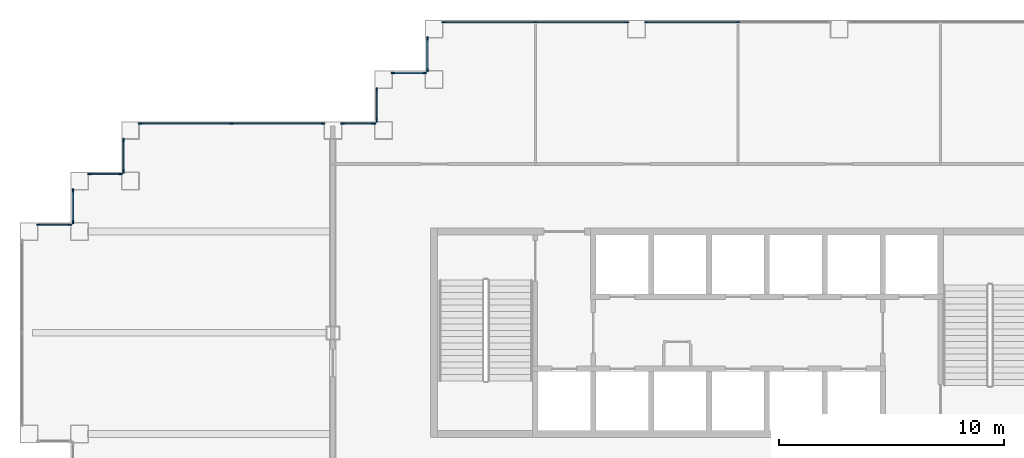
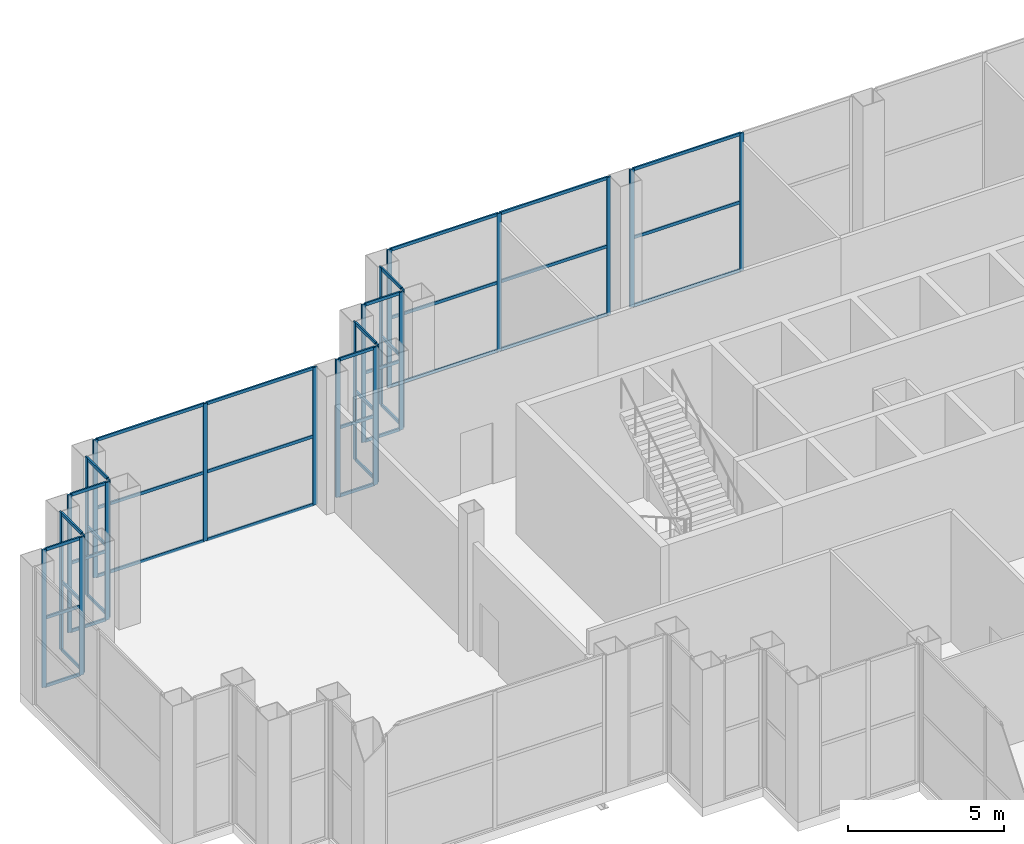
# One storey, part 7 of 18: 63 members, 11 elements without a shape of their own.
"""IFC4 building model written with IfcOpenShell, lengths in metres."""

from ifc_helpers import new_model, si_unit, direction, frame, origin, origin_2d, place, context, subcontext, project, spatial, rectangle, extrude, material, layer, layer_set, material_profile, profile_set, type_object, element, aggregate, save


model = new_model("IFC4")

# Units and contexts
model_context = context("Model", 3, precision=1e-05, world=origin(), true_north=direction((0.0, 1.0)))
body_context = subcontext(model_context, "Body", "Model", "MODEL_VIEW")
ifc_project = project(units=[si_unit("LENGTHUNIT", "METRE"), si_unit("AREAUNIT", "SQUARE_METRE"), si_unit("VOLUMEUNIT", "CUBIC_METRE"), si_unit("PLANEANGLEUNIT", "RADIAN"), si_unit("MASSUNIT", "GRAM", prefix="KILO")], contexts=[model_context])

# Site, building, storey
site_placement = place(None, origin())
site = spatial("IfcSite", under=ifc_project, at=site_placement, CompositionType="ELEMENT")
building_placement = place(site_placement, origin())
building = spatial("IfcBuilding", under=site, at=building_placement, Name="Caravel Reach Hotel and Residences", CompositionType="ELEMENT")
storey_placement = place(building_placement, frame((0.0, 0.0, 145.199951171875)))
storey = spatial("IfcBuildingStorey", under=building, at=storey_placement, Name="L36", CompositionType="ELEMENT", Elevation=145.199951171875)

# Curtain wall, members
ifc_material_1 = material(Name="Dark low-e glazing in black aluminium frame", Category="aluminium")
ifc_layer = layer(ifc_material_1, 0.199951171875)
ifc_layer_set = layer_set([ifc_layer], Name="CW2 Sky lobby glazing")
curtain_wall_type = type_object("IfcCurtainWallType", Name="CW2 Sky lobby glazing", PredefinedType="NOTDEFINED", material=ifc_layer_set)
curtain_wall_1_placement = place(storey_placement, origin())
curtain_wall_1 = element("IfcCurtainWall", 1, at=curtain_wall_1_placement, inside=storey, type_object=curtain_wall_type, Name="Sky lobby glazing b1", PredefinedType="NOTDEFINED")
ifc_material_2 = material(Name="Anodised aluminium alloy 6063-T5, black", Category="aluminium")
ifc_material_profile_1 = material_profile(ifc_material_2, rectangle(XDim=0.06005859375, YDim=0.159912109375, at=origin_2d()), Name="CW mullion 60 x 160")
ifc_profile_set_1 = profile_set([ifc_material_profile_1], Name="Anodised aluminium alloy 6063-T5, black")
member_type_1 = type_object("IfcMemberType", Name="CW mullion 60 x 160", PredefinedType="MULLION", material=ifc_profile_set_1)
member_1_placement = place(storey_placement, frame((31.5, 40.800048828125, 0.0), z_axis=(0.0, 0.0, 1.0), x_axis=(0.0, -1.0, 0.0)))
member_1 = element("IfcMember", 2, at=member_1_placement, type_object=member_type_1, Name="CW2 mullion 2", PredefinedType="MULLION", context=body_context, shape_type="SweptSolid", body=[
    extrude(rectangle(XDim=0.06005859375, YDim=0.159912109375, at=origin_2d()), origin(), (0.0, 0.0, 1.0), 5.400146484375),
])
member_2_placement = place(storey_placement, frame((27.429931640625, 40.800048828125, 0.0), z_axis=(0.0, 0.0, 1.0), x_axis=(0.0, -1.0, 0.0)))
member_2 = element("IfcMember", 3, at=member_2_placement, type_object=member_type_1, Name="CW2 mullion 3", PredefinedType="MULLION", context=body_context, shape_type="SweptSolid", body=[
    extrude(rectangle(XDim=0.06005859375, YDim=0.159912109375, at=origin_2d()), origin(), (0.0, 0.0, 1.0), 5.400146484375),
])

curtain_wall_2_placement = place(storey_placement, origin())
curtain_wall_2 = element("IfcCurtainWall", 4, at=curtain_wall_2_placement, inside=storey, type_object=curtain_wall_type, Name="Sky lobby glazing b2", PredefinedType="NOTDEFINED")
member_3_placement = place(storey_placement, frame((26.570068359375, 40.800048828125, 0.0), z_axis=(0.0, 0.0, 1.0), x_axis=(0.0, -1.0, 0.0)))
member_3 = element("IfcMember", 5, at=member_3_placement, type_object=member_type_1, Name="CW2 mullion 1", PredefinedType="MULLION", context=body_context, shape_type="SweptSolid", body=[
    extrude(rectangle(XDim=0.06005859375, YDim=0.159912109375, at=origin_2d()), origin(), (0.0, 0.0, 1.0), 5.400146484375),
])
member_4_placement = place(storey_placement, frame((22.5, 40.800048828125, 0.0), z_axis=(0.0, 0.0, 1.0), x_axis=(0.0, -1.0, 0.0)))
member_4 = element("IfcMember", 6, at=member_4_placement, type_object=member_type_1, Name="CW2 mullion 2", PredefinedType="MULLION", context=body_context, shape_type="SweptSolid", body=[
    extrude(rectangle(XDim=0.06005859375, YDim=0.159912109375, at=origin_2d()), origin(), (0.0, 0.0, 1.0), 5.400146484375),
])
member_5_placement = place(storey_placement, frame((18.429931640625, 40.800048828125, 0.0), z_axis=(0.0, 0.0, 1.0), x_axis=(0.0, -1.0, 0.0)))
member_5 = element("IfcMember", 7, at=member_5_placement, type_object=member_type_1, Name="CW2 mullion 3", PredefinedType="MULLION", context=body_context, shape_type="SweptSolid", body=[
    extrude(rectangle(XDim=0.06005859375, YDim=0.159912109375, at=origin_2d()), origin(), (0.0, 0.0, 1.0), 5.400146484375),
])

curtain_wall_3_placement = place(storey_placement, origin())
curtain_wall_3 = element("IfcCurtainWall", 8, at=curtain_wall_3_placement, inside=storey, type_object=curtain_wall_type, Name="Sky lobby glazing b0", PredefinedType="NOTDEFINED")
member_6_placement = place(storey_placement, frame((17.699951171875, 40.070068359375, 0.0), z_axis=(0.0, 0.0, 1.0), x_axis=(1.0, 0.0, 0.0)))
member_6 = element("IfcMember", 9, at=member_6_placement, type_object=member_type_1, Name="CW2 mullion 1", PredefinedType="MULLION", context=body_context, shape_type="SweptSolid", body=[
    extrude(rectangle(XDim=0.06005859375, YDim=0.159912109375, at=origin_2d()), origin(), (0.0, 0.0, 1.0), 5.400146484375),
])
member_7_placement = place(storey_placement, frame((17.699951171875, 38.679931640625, 0.0), z_axis=(0.0, 0.0, 1.0), x_axis=(1.0, 0.0, 0.0)))
member_7 = element("IfcMember", 10, at=member_7_placement, type_object=member_type_1, Name="CW2 mullion 2", PredefinedType="MULLION", context=body_context, shape_type="SweptSolid", body=[
    extrude(rectangle(XDim=0.06005859375, YDim=0.159912109375, at=origin_2d()), origin(), (0.0, 0.0, 1.0), 5.400146484375),
])

curtain_wall_4_placement = place(storey_placement, origin())
curtain_wall_4 = element("IfcCurtainWall", 11, at=curtain_wall_4_placement, inside=storey, type_object=curtain_wall_type, Name="Sky lobby glazing b0", PredefinedType="NOTDEFINED")
member_8_placement = place(storey_placement, frame((17.570068359375, 38.550048828125, 0.0), z_axis=(0.0, 0.0, 1.0), x_axis=(0.0, -1.0, 0.0)))
member_8 = element("IfcMember", 12, at=member_8_placement, type_object=member_type_1, Name="CW2 mullion 1", PredefinedType="MULLION", context=body_context, shape_type="SweptSolid", body=[
    extrude(rectangle(XDim=0.06005859375, YDim=0.159912109375, at=origin_2d()), origin(), (0.0, 0.0, 1.0), 5.400146484375),
])
member_9_placement = place(storey_placement, frame((16.179931640625, 38.550048828125, 0.0), z_axis=(0.0, 0.0, 1.0), x_axis=(0.0, -1.0, 0.0)))
member_9 = element("IfcMember", 13, at=member_9_placement, type_object=member_type_1, Name="CW2 mullion 2", PredefinedType="MULLION", context=body_context, shape_type="SweptSolid", body=[
    extrude(rectangle(XDim=0.06005859375, YDim=0.159912109375, at=origin_2d()), origin(), (0.0, 0.0, 1.0), 5.400146484375),
])

curtain_wall_5_placement = place(storey_placement, origin())
curtain_wall_5 = element("IfcCurtainWall", 14, at=curtain_wall_5_placement, inside=storey, type_object=curtain_wall_type, Name="Sky lobby glazing b0", PredefinedType="NOTDEFINED")
member_10_placement = place(storey_placement, frame((15.449951171875, 37.820068359375, 0.0), z_axis=(0.0, 0.0, 1.0), x_axis=(1.0, 0.0, 0.0)))
member_10 = element("IfcMember", 15, at=member_10_placement, type_object=member_type_1, Name="CW2 mullion 1", PredefinedType="MULLION", context=body_context, shape_type="SweptSolid", body=[
    extrude(rectangle(XDim=0.06005859375, YDim=0.159912109375, at=origin_2d()), origin(), (0.0, 0.0, 1.0), 5.400146484375),
])
member_11_placement = place(storey_placement, frame((15.449951171875, 36.429931640625, 0.0), z_axis=(0.0, 0.0, 1.0), x_axis=(1.0, 0.0, 0.0)))
member_11 = element("IfcMember", 16, at=member_11_placement, type_object=member_type_1, Name="CW2 mullion 2", PredefinedType="MULLION", context=body_context, shape_type="SweptSolid", body=[
    extrude(rectangle(XDim=0.06005859375, YDim=0.159912109375, at=origin_2d()), origin(), (0.0, 0.0, 1.0), 5.400146484375),
])

curtain_wall_6_placement = place(storey_placement, origin())
curtain_wall_6 = element("IfcCurtainWall", 17, at=curtain_wall_6_placement, inside=storey, type_object=curtain_wall_type, Name="Sky lobby glazing b0", PredefinedType="NOTDEFINED")
member_12_placement = place(storey_placement, frame((15.320068359375, 36.300048828125, 0.0), z_axis=(0.0, 0.0, 1.0), x_axis=(0.0, -1.0, 0.0)))
member_12 = element("IfcMember", 18, at=member_12_placement, type_object=member_type_1, Name="CW2 mullion 1", PredefinedType="MULLION", context=body_context, shape_type="SweptSolid", body=[
    extrude(rectangle(XDim=0.06005859375, YDim=0.159912109375, at=origin_2d()), origin(), (0.0, 0.0, 1.0), 5.400146484375),
])
member_13_placement = place(storey_placement, frame((13.929931640625, 36.300048828125, 0.0), z_axis=(0.0, 0.0, 1.0), x_axis=(0.0, -1.0, 0.0)))
member_13 = element("IfcMember", 19, at=member_13_placement, type_object=member_type_1, Name="CW2 mullion 2", PredefinedType="MULLION", context=body_context, shape_type="SweptSolid", body=[
    extrude(rectangle(XDim=0.06005859375, YDim=0.159912109375, at=origin_2d()), origin(), (0.0, 0.0, 1.0), 5.400146484375),
])

curtain_wall_7_placement = place(storey_placement, origin())
curtain_wall_7 = element("IfcCurtainWall", 20, at=curtain_wall_7_placement, inside=storey, type_object=curtain_wall_type, Name="Sky lobby glazing b1", PredefinedType="NOTDEFINED")
member_14_placement = place(storey_placement, frame((13.070068359375, 36.300048828125, 0.0), z_axis=(0.0, 0.0, 1.0), x_axis=(0.0, -1.0, 0.0)))
member_14 = element("IfcMember", 21, at=member_14_placement, type_object=member_type_1, Name="CW2 mullion 1", PredefinedType="MULLION", context=body_context, shape_type="SweptSolid", body=[
    extrude(rectangle(XDim=0.06005859375, YDim=0.159912109375, at=origin_2d()), origin(), (0.0, 0.0, 1.0), 5.400146484375),
])
member_15_placement = place(storey_placement, frame((9.0, 36.300048828125, 0.0), z_axis=(0.0, 0.0, 1.0), x_axis=(0.0, -1.0, 0.0)))
member_15 = element("IfcMember", 22, at=member_15_placement, type_object=member_type_1, Name="CW2 mullion 2", PredefinedType="MULLION", context=body_context, shape_type="SweptSolid", body=[
    extrude(rectangle(XDim=0.06005859375, YDim=0.159912109375, at=origin_2d()), origin(), (0.0, 0.0, 1.0), 5.400146484375),
])
member_16_placement = place(storey_placement, frame((4.929931640625, 36.300048828125, 0.0), z_axis=(0.0, 0.0, 1.0), x_axis=(0.0, -1.0, 0.0)))
member_16 = element("IfcMember", 23, at=member_16_placement, type_object=member_type_1, Name="CW2 mullion 3", PredefinedType="MULLION", context=body_context, shape_type="SweptSolid", body=[
    extrude(rectangle(XDim=0.06005859375, YDim=0.159912109375, at=origin_2d()), origin(), (0.0, 0.0, 1.0), 5.400146484375),
])

curtain_wall_8_placement = place(storey_placement, origin())
curtain_wall_8 = element("IfcCurtainWall", 24, at=curtain_wall_8_placement, inside=storey, type_object=curtain_wall_type, Name="Sky lobby glazing b0", PredefinedType="NOTDEFINED")
member_17_placement = place(storey_placement, frame((4.199951171875, 35.570068359375, 0.0), z_axis=(0.0, 0.0, 1.0), x_axis=(1.0, 0.0, 0.0)))
member_17 = element("IfcMember", 25, at=member_17_placement, type_object=member_type_1, Name="CW2 mullion 1", PredefinedType="MULLION", context=body_context, shape_type="SweptSolid", body=[
    extrude(rectangle(XDim=0.06005859375, YDim=0.159912109375, at=origin_2d()), origin(), (0.0, 0.0, 1.0), 5.400146484375),
])
member_18_placement = place(storey_placement, frame((4.199951171875, 34.179931640625, 0.0), z_axis=(0.0, 0.0, 1.0), x_axis=(1.0, 0.0, 0.0)))
member_18 = element("IfcMember", 26, at=member_18_placement, type_object=member_type_1, Name="CW2 mullion 2", PredefinedType="MULLION", context=body_context, shape_type="SweptSolid", body=[
    extrude(rectangle(XDim=0.06005859375, YDim=0.159912109375, at=origin_2d()), origin(), (0.0, 0.0, 1.0), 5.400146484375),
])

curtain_wall_9_placement = place(storey_placement, origin())
curtain_wall_9 = element("IfcCurtainWall", 27, at=curtain_wall_9_placement, inside=storey, type_object=curtain_wall_type, Name="Sky lobby glazing b0", PredefinedType="NOTDEFINED")
member_19_placement = place(storey_placement, frame((4.070068359375, 34.050048828125, 0.0), z_axis=(0.0, 0.0, 1.0), x_axis=(0.0, -1.0, 0.0)))
member_19 = element("IfcMember", 28, at=member_19_placement, type_object=member_type_1, Name="CW2 mullion 1", PredefinedType="MULLION", context=body_context, shape_type="SweptSolid", body=[
    extrude(rectangle(XDim=0.06005859375, YDim=0.159912109375, at=origin_2d()), origin(), (0.0, 0.0, 1.0), 5.400146484375),
])
member_20_placement = place(storey_placement, frame((2.679931640625, 34.050048828125, 0.0), z_axis=(0.0, 0.0, 1.0), x_axis=(0.0, -1.0, 0.0)))
member_20 = element("IfcMember", 29, at=member_20_placement, type_object=member_type_1, Name="CW2 mullion 2", PredefinedType="MULLION", context=body_context, shape_type="SweptSolid", body=[
    extrude(rectangle(XDim=0.06005859375, YDim=0.159912109375, at=origin_2d()), origin(), (0.0, 0.0, 1.0), 5.400146484375),
])

curtain_wall_10_placement = place(storey_placement, origin())
curtain_wall_10 = element("IfcCurtainWall", 30, at=curtain_wall_10_placement, inside=storey, type_object=curtain_wall_type, Name="Sky lobby glazing b0", PredefinedType="NOTDEFINED")
member_21_placement = place(storey_placement, frame((1.949951171875, 33.320068359375, 0.0), z_axis=(0.0, 0.0, 1.0), x_axis=(1.0, 0.0, 0.0)))
member_21 = element("IfcMember", 31, at=member_21_placement, type_object=member_type_1, Name="CW2 mullion 1", PredefinedType="MULLION", context=body_context, shape_type="SweptSolid", body=[
    extrude(rectangle(XDim=0.06005859375, YDim=0.159912109375, at=origin_2d()), origin(), (0.0, 0.0, 1.0), 5.400146484375),
])
member_22_placement = place(storey_placement, frame((1.949951171875, 31.929931640625, 0.0), z_axis=(0.0, 0.0, 1.0), x_axis=(1.0, 0.0, 0.0)))
member_22 = element("IfcMember", 32, at=member_22_placement, type_object=member_type_1, Name="CW2 mullion 2", PredefinedType="MULLION", context=body_context, shape_type="SweptSolid", body=[
    extrude(rectangle(XDim=0.06005859375, YDim=0.159912109375, at=origin_2d()), origin(), (0.0, 0.0, 1.0), 5.400146484375),
])

curtain_wall_11_placement = place(storey_placement, origin())
curtain_wall_11 = element("IfcCurtainWall", 33, at=curtain_wall_11_placement, inside=storey, type_object=curtain_wall_type, Name="Sky lobby glazing b0", PredefinedType="NOTDEFINED")
member_23_placement = place(storey_placement, frame((1.820068359375, 31.800048828125, 0.0), z_axis=(0.0, 0.0, 1.0), x_axis=(0.0, -1.0, 0.0)))
member_23 = element("IfcMember", 34, at=member_23_placement, type_object=member_type_1, Name="CW2 mullion 1", PredefinedType="MULLION", context=body_context, shape_type="SweptSolid", body=[
    extrude(rectangle(XDim=0.06005859375, YDim=0.159912109375, at=origin_2d()), origin(), (0.0, 0.0, 1.0), 5.400146484375),
])
member_24_placement = place(storey_placement, frame((0.429931640625, 31.800048828125, 0.0), z_axis=(0.0, 0.0, 1.0), x_axis=(0.0, -1.0, 0.0)))
member_24 = element("IfcMember", 35, at=member_24_placement, type_object=member_type_1, Name="CW2 mullion 2", PredefinedType="MULLION", context=body_context, shape_type="SweptSolid", body=[
    extrude(rectangle(XDim=0.06005859375, YDim=0.159912109375, at=origin_2d()), origin(), (0.0, 0.0, 1.0), 5.400146484375),
])

# Member
ifc_material_3 = material(Name="Anodised aluminium alloy 6063-T5, black", Category="aluminium")
ifc_material_profile_2 = material_profile(ifc_material_3, rectangle(XDim=0.06005859375, YDim=0.1201171875, at=origin_2d()), Name="CW transom 60 x 120")
ifc_profile_set_2 = profile_set([ifc_material_profile_2], Name="Anodised aluminium alloy 6063-T5, black")
member_type_2 = type_object("IfcMemberType", Name="CW transom 60 x 120", PredefinedType="USERDEFINED", material=ifc_profile_set_2)
member_25_placement = place(storey_placement, frame((31.469970703125, 40.800048828125, 0.030029296875), z_axis=(-1.0, 0.0, 0.0), x_axis=(0.0, -1.0, 0.0)))
member_25 = element("IfcMember", 36, at=member_25_placement, type_object=member_type_2, Name="CW2 transom 2.1", ObjectType="TRANSOM", PredefinedType="USERDEFINED", context=body_context, shape_type="SweptSolid", body=[
    extrude(rectangle(XDim=0.06005859375, YDim=0.1201171875, at=origin_2d()), origin(), (0.0, 0.0, 1.0), 4.010009765625),
])

member_26_placement = place(storey_placement, frame((31.469970703125, 40.800048828125, 2.699951171875), z_axis=(-1.0, 0.0, 0.0), x_axis=(0.0, -1.0, 0.0)))
member_26 = element("IfcMember", 37, at=member_26_placement, type_object=member_type_2, Name="CW2 transom 2.2", ObjectType="TRANSOM", PredefinedType="USERDEFINED", context=body_context, shape_type="SweptSolid", body=[
    extrude(rectangle(XDim=0.06005859375, YDim=0.1201171875, at=origin_2d()), origin(), (0.0, 0.0, 1.0), 4.010009765625),
])

member_27_placement = place(storey_placement, frame((31.469970703125, 40.800048828125, 5.3701171875), z_axis=(-1.0, 0.0, 0.0), x_axis=(0.0, -1.0, 0.0)))
member_27 = element("IfcMember", 38, at=member_27_placement, type_object=member_type_2, Name="CW2 transom 2.3", ObjectType="TRANSOM", PredefinedType="USERDEFINED", context=body_context, shape_type="SweptSolid", body=[
    extrude(rectangle(XDim=0.06005859375, YDim=0.1201171875, at=origin_2d()), origin(), (0.0, 0.0, 1.0), 4.010009765625),
])

aggregate(curtain_wall_1, [member_1, member_2, member_25, member_26, member_27])

member_28_placement = place(storey_placement, frame((26.5400390625, 40.800048828125, 0.030029296875), z_axis=(-1.0, 0.0, 0.0), x_axis=(0.0, -1.0, 0.0)))
member_28 = element("IfcMember", 39, at=member_28_placement, type_object=member_type_2, Name="CW2 transom 1.1", ObjectType="TRANSOM", PredefinedType="USERDEFINED", context=body_context, shape_type="SweptSolid", body=[
    extrude(rectangle(XDim=0.06005859375, YDim=0.1201171875, at=origin_2d()), origin(), (0.0, 0.0, 1.0), 4.010009765625),
])

member_29_placement = place(storey_placement, frame((26.5400390625, 40.800048828125, 2.699951171875), z_axis=(-1.0, 0.0, 0.0), x_axis=(0.0, -1.0, 0.0)))
member_29 = element("IfcMember", 40, at=member_29_placement, type_object=member_type_2, Name="CW2 transom 1.2", ObjectType="TRANSOM", PredefinedType="USERDEFINED", context=body_context, shape_type="SweptSolid", body=[
    extrude(rectangle(XDim=0.06005859375, YDim=0.1201171875, at=origin_2d()), origin(), (0.0, 0.0, 1.0), 4.010009765625),
])

member_30_placement = place(storey_placement, frame((26.5400390625, 40.800048828125, 5.3701171875), z_axis=(-1.0, 0.0, 0.0), x_axis=(0.0, -1.0, 0.0)))
member_30 = element("IfcMember", 41, at=member_30_placement, type_object=member_type_2, Name="CW2 transom 1.3", ObjectType="TRANSOM", PredefinedType="USERDEFINED", context=body_context, shape_type="SweptSolid", body=[
    extrude(rectangle(XDim=0.06005859375, YDim=0.1201171875, at=origin_2d()), origin(), (0.0, 0.0, 1.0), 4.010009765625),
])

member_31_placement = place(storey_placement, frame((22.469970703125, 40.800048828125, 0.030029296875), z_axis=(-1.0, 0.0, 0.0), x_axis=(0.0, -1.0, 0.0)))
member_31 = element("IfcMember", 42, at=member_31_placement, type_object=member_type_2, Name="CW2 transom 2.1", ObjectType="TRANSOM", PredefinedType="USERDEFINED", context=body_context, shape_type="SweptSolid", body=[
    extrude(rectangle(XDim=0.06005859375, YDim=0.1201171875, at=origin_2d()), origin(), (0.0, 0.0, 1.0), 4.010009765625),
])

member_32_placement = place(storey_placement, frame((22.469970703125, 40.800048828125, 2.699951171875), z_axis=(-1.0, 0.0, 0.0), x_axis=(0.0, -1.0, 0.0)))
member_32 = element("IfcMember", 43, at=member_32_placement, type_object=member_type_2, Name="CW2 transom 2.2", ObjectType="TRANSOM", PredefinedType="USERDEFINED", context=body_context, shape_type="SweptSolid", body=[
    extrude(rectangle(XDim=0.06005859375, YDim=0.1201171875, at=origin_2d()), origin(), (0.0, 0.0, 1.0), 4.010009765625),
])

member_33_placement = place(storey_placement, frame((22.469970703125, 40.800048828125, 5.3701171875), z_axis=(-1.0, 0.0, 0.0), x_axis=(0.0, -1.0, 0.0)))
member_33 = element("IfcMember", 44, at=member_33_placement, type_object=member_type_2, Name="CW2 transom 2.3", ObjectType="TRANSOM", PredefinedType="USERDEFINED", context=body_context, shape_type="SweptSolid", body=[
    extrude(rectangle(XDim=0.06005859375, YDim=0.1201171875, at=origin_2d()), origin(), (0.0, 0.0, 1.0), 4.010009765625),
])

aggregate(curtain_wall_2, [member_3, member_4, member_5, member_28, member_29, member_30, member_31, member_32, member_33])

member_34_placement = place(storey_placement, frame((17.699951171875, 40.0400390625, 0.030029296875), z_axis=(0.0, -1.0, 0.0), x_axis=(1.0, 0.0, 0.0)))
member_34 = element("IfcMember", 45, at=member_34_placement, type_object=member_type_2, Name="CW2 transom 1.1", ObjectType="TRANSOM", PredefinedType="USERDEFINED", context=body_context, shape_type="SweptSolid", body=[
    extrude(rectangle(XDim=0.06005859375, YDim=0.1201171875, at=origin_2d()), origin(), (0.0, 0.0, 1.0), 1.330078125),
])

member_35_placement = place(storey_placement, frame((17.699951171875, 40.0400390625, 2.699951171875), z_axis=(0.0, -1.0, 0.0), x_axis=(1.0, 0.0, 0.0)))
member_35 = element("IfcMember", 46, at=member_35_placement, type_object=member_type_2, Name="CW2 transom 1.2", ObjectType="TRANSOM", PredefinedType="USERDEFINED", context=body_context, shape_type="SweptSolid", body=[
    extrude(rectangle(XDim=0.06005859375, YDim=0.1201171875, at=origin_2d()), origin(), (0.0, 0.0, 1.0), 1.330078125),
])

member_36_placement = place(storey_placement, frame((17.699951171875, 40.0400390625, 5.3701171875), z_axis=(0.0, -1.0, 0.0), x_axis=(1.0, 0.0, 0.0)))
member_36 = element("IfcMember", 47, at=member_36_placement, type_object=member_type_2, Name="CW2 transom 1.3", ObjectType="TRANSOM", PredefinedType="USERDEFINED", context=body_context, shape_type="SweptSolid", body=[
    extrude(rectangle(XDim=0.06005859375, YDim=0.1201171875, at=origin_2d()), origin(), (0.0, 0.0, 1.0), 1.330078125),
])

aggregate(curtain_wall_3, [member_6, member_7, member_34, member_35, member_36])

member_37_placement = place(storey_placement, frame((17.5400390625, 38.550048828125, 0.030029296875), z_axis=(-1.0, 0.0, 0.0), x_axis=(0.0, -1.0, 0.0)))
member_37 = element("IfcMember", 48, at=member_37_placement, type_object=member_type_2, Name="CW2 transom 1.1", ObjectType="TRANSOM", PredefinedType="USERDEFINED", context=body_context, shape_type="SweptSolid", body=[
    extrude(rectangle(XDim=0.06005859375, YDim=0.1201171875, at=origin_2d()), origin(), (0.0, 0.0, 1.0), 1.330078125),
])

member_38_placement = place(storey_placement, frame((17.5400390625, 38.550048828125, 2.699951171875), z_axis=(-1.0, 0.0, 0.0), x_axis=(0.0, -1.0, 0.0)))
member_38 = element("IfcMember", 49, at=member_38_placement, type_object=member_type_2, Name="CW2 transom 1.2", ObjectType="TRANSOM", PredefinedType="USERDEFINED", context=body_context, shape_type="SweptSolid", body=[
    extrude(rectangle(XDim=0.06005859375, YDim=0.1201171875, at=origin_2d()), origin(), (0.0, 0.0, 1.0), 1.330078125),
])

member_39_placement = place(storey_placement, frame((17.5400390625, 38.550048828125, 5.3701171875), z_axis=(-1.0, 0.0, 0.0), x_axis=(0.0, -1.0, 0.0)))
member_39 = element("IfcMember", 50, at=member_39_placement, type_object=member_type_2, Name="CW2 transom 1.3", ObjectType="TRANSOM", PredefinedType="USERDEFINED", context=body_context, shape_type="SweptSolid", body=[
    extrude(rectangle(XDim=0.06005859375, YDim=0.1201171875, at=origin_2d()), origin(), (0.0, 0.0, 1.0), 1.330078125),
])

aggregate(curtain_wall_4, [member_8, member_9, member_37, member_38, member_39])

member_40_placement = place(storey_placement, frame((15.449951171875, 37.7900390625, 0.030029296875), z_axis=(0.0, -1.0, 0.0), x_axis=(1.0, 0.0, 0.0)))
member_40 = element("IfcMember", 51, at=member_40_placement, type_object=member_type_2, Name="CW2 transom 1.1", ObjectType="TRANSOM", PredefinedType="USERDEFINED", context=body_context, shape_type="SweptSolid", body=[
    extrude(rectangle(XDim=0.06005859375, YDim=0.1201171875, at=origin_2d()), origin(), (0.0, 0.0, 1.0), 1.330078125),
])

member_41_placement = place(storey_placement, frame((15.449951171875, 37.7900390625, 2.699951171875), z_axis=(0.0, -1.0, 0.0), x_axis=(1.0, 0.0, 0.0)))
member_41 = element("IfcMember", 52, at=member_41_placement, type_object=member_type_2, Name="CW2 transom 1.2", ObjectType="TRANSOM", PredefinedType="USERDEFINED", context=body_context, shape_type="SweptSolid", body=[
    extrude(rectangle(XDim=0.06005859375, YDim=0.1201171875, at=origin_2d()), origin(), (0.0, 0.0, 1.0), 1.330078125),
])

member_42_placement = place(storey_placement, frame((15.449951171875, 37.7900390625, 5.3701171875), z_axis=(0.0, -1.0, 0.0), x_axis=(1.0, 0.0, 0.0)))
member_42 = element("IfcMember", 53, at=member_42_placement, type_object=member_type_2, Name="CW2 transom 1.3", ObjectType="TRANSOM", PredefinedType="USERDEFINED", context=body_context, shape_type="SweptSolid", body=[
    extrude(rectangle(XDim=0.06005859375, YDim=0.1201171875, at=origin_2d()), origin(), (0.0, 0.0, 1.0), 1.330078125),
])

aggregate(curtain_wall_5, [member_10, member_11, member_40, member_41, member_42])

member_43_placement = place(storey_placement, frame((15.2900390625, 36.300048828125, 0.030029296875), z_axis=(-1.0, 0.0, 0.0), x_axis=(0.0, -1.0, 0.0)))
member_43 = element("IfcMember", 54, at=member_43_placement, type_object=member_type_2, Name="CW2 transom 1.1", ObjectType="TRANSOM", PredefinedType="USERDEFINED", context=body_context, shape_type="SweptSolid", body=[
    extrude(rectangle(XDim=0.06005859375, YDim=0.1201171875, at=origin_2d()), origin(), (0.0, 0.0, 1.0), 1.330078125),
])

member_44_placement = place(storey_placement, frame((15.2900390625, 36.300048828125, 2.699951171875), z_axis=(-1.0, 0.0, 0.0), x_axis=(0.0, -1.0, 0.0)))
member_44 = element("IfcMember", 55, at=member_44_placement, type_object=member_type_2, Name="CW2 transom 1.2", ObjectType="TRANSOM", PredefinedType="USERDEFINED", context=body_context, shape_type="SweptSolid", body=[
    extrude(rectangle(XDim=0.06005859375, YDim=0.1201171875, at=origin_2d()), origin(), (0.0, 0.0, 1.0), 1.330078125),
])

member_45_placement = place(storey_placement, frame((15.2900390625, 36.300048828125, 5.3701171875), z_axis=(-1.0, 0.0, 0.0), x_axis=(0.0, -1.0, 0.0)))
member_45 = element("IfcMember", 56, at=member_45_placement, type_object=member_type_2, Name="CW2 transom 1.3", ObjectType="TRANSOM", PredefinedType="USERDEFINED", context=body_context, shape_type="SweptSolid", body=[
    extrude(rectangle(XDim=0.06005859375, YDim=0.1201171875, at=origin_2d()), origin(), (0.0, 0.0, 1.0), 1.330078125),
])

aggregate(curtain_wall_6, [member_12, member_13, member_43, member_44, member_45])

member_46_placement = place(storey_placement, frame((13.0400390625, 36.300048828125, 0.030029296875), z_axis=(-1.0, 0.0, 0.0), x_axis=(0.0, -1.0, 0.0)))
member_46 = element("IfcMember", 57, at=member_46_placement, type_object=member_type_2, Name="CW2 transom 1.1", ObjectType="TRANSOM", PredefinedType="USERDEFINED", context=body_context, shape_type="SweptSolid", body=[
    extrude(rectangle(XDim=0.06005859375, YDim=0.1201171875, at=origin_2d()), origin(), (0.0, 0.0, 1.0), 4.010009765625),
])

member_47_placement = place(storey_placement, frame((13.0400390625, 36.300048828125, 2.699951171875), z_axis=(-1.0, 0.0, 0.0), x_axis=(0.0, -1.0, 0.0)))
member_47 = element("IfcMember", 58, at=member_47_placement, type_object=member_type_2, Name="CW2 transom 1.2", ObjectType="TRANSOM", PredefinedType="USERDEFINED", context=body_context, shape_type="SweptSolid", body=[
    extrude(rectangle(XDim=0.06005859375, YDim=0.1201171875, at=origin_2d()), origin(), (0.0, 0.0, 1.0), 4.010009765625),
])

member_48_placement = place(storey_placement, frame((13.0400390625, 36.300048828125, 5.3701171875), z_axis=(-1.0, 0.0, 0.0), x_axis=(0.0, -1.0, 0.0)))
member_48 = element("IfcMember", 59, at=member_48_placement, type_object=member_type_2, Name="CW2 transom 1.3", ObjectType="TRANSOM", PredefinedType="USERDEFINED", context=body_context, shape_type="SweptSolid", body=[
    extrude(rectangle(XDim=0.06005859375, YDim=0.1201171875, at=origin_2d()), origin(), (0.0, 0.0, 1.0), 4.010009765625),
])

member_49_placement = place(storey_placement, frame((8.969970703125, 36.300048828125, 0.030029296875), z_axis=(-1.0, 0.0, 0.0), x_axis=(0.0, -1.0, 0.0)))
member_49 = element("IfcMember", 60, at=member_49_placement, type_object=member_type_2, Name="CW2 transom 2.1", ObjectType="TRANSOM", PredefinedType="USERDEFINED", context=body_context, shape_type="SweptSolid", body=[
    extrude(rectangle(XDim=0.06005859375, YDim=0.1201171875, at=origin_2d()), origin(), (0.0, 0.0, 1.0), 4.010009765625),
])

member_50_placement = place(storey_placement, frame((8.969970703125, 36.300048828125, 2.699951171875), z_axis=(-1.0, 0.0, 0.0), x_axis=(0.0, -1.0, 0.0)))
member_50 = element("IfcMember", 61, at=member_50_placement, type_object=member_type_2, Name="CW2 transom 2.2", ObjectType="TRANSOM", PredefinedType="USERDEFINED", context=body_context, shape_type="SweptSolid", body=[
    extrude(rectangle(XDim=0.06005859375, YDim=0.1201171875, at=origin_2d()), origin(), (0.0, 0.0, 1.0), 4.010009765625),
])

member_51_placement = place(storey_placement, frame((8.969970703125, 36.300048828125, 5.3701171875), z_axis=(-1.0, 0.0, 0.0), x_axis=(0.0, -1.0, 0.0)))
member_51 = element("IfcMember", 62, at=member_51_placement, type_object=member_type_2, Name="CW2 transom 2.3", ObjectType="TRANSOM", PredefinedType="USERDEFINED", context=body_context, shape_type="SweptSolid", body=[
    extrude(rectangle(XDim=0.06005859375, YDim=0.1201171875, at=origin_2d()), origin(), (0.0, 0.0, 1.0), 4.010009765625),
])

aggregate(curtain_wall_7, [member_14, member_15, member_16, member_46, member_47, member_48, member_49, member_50, member_51])

member_52_placement = place(storey_placement, frame((4.199951171875, 35.5400390625, 0.030029296875), z_axis=(0.0, -1.0, 0.0), x_axis=(1.0, 0.0, 0.0)))
member_52 = element("IfcMember", 63, at=member_52_placement, type_object=member_type_2, Name="CW2 transom 1.1", ObjectType="TRANSOM", PredefinedType="USERDEFINED", context=body_context, shape_type="SweptSolid", body=[
    extrude(rectangle(XDim=0.06005859375, YDim=0.1201171875, at=origin_2d()), origin(), (0.0, 0.0, 1.0), 1.330078125),
])

member_53_placement = place(storey_placement, frame((4.199951171875, 35.5400390625, 2.699951171875), z_axis=(0.0, -1.0, 0.0), x_axis=(1.0, 0.0, 0.0)))
member_53 = element("IfcMember", 64, at=member_53_placement, type_object=member_type_2, Name="CW2 transom 1.2", ObjectType="TRANSOM", PredefinedType="USERDEFINED", context=body_context, shape_type="SweptSolid", body=[
    extrude(rectangle(XDim=0.06005859375, YDim=0.1201171875, at=origin_2d()), origin(), (0.0, 0.0, 1.0), 1.330078125),
])

member_54_placement = place(storey_placement, frame((4.199951171875, 35.5400390625, 5.3701171875), z_axis=(0.0, -1.0, 0.0), x_axis=(1.0, 0.0, 0.0)))
member_54 = element("IfcMember", 65, at=member_54_placement, type_object=member_type_2, Name="CW2 transom 1.3", ObjectType="TRANSOM", PredefinedType="USERDEFINED", context=body_context, shape_type="SweptSolid", body=[
    extrude(rectangle(XDim=0.06005859375, YDim=0.1201171875, at=origin_2d()), origin(), (0.0, 0.0, 1.0), 1.330078125),
])

aggregate(curtain_wall_8, [member_17, member_18, member_52, member_53, member_54])

member_55_placement = place(storey_placement, frame((4.0400390625, 34.050048828125, 0.030029296875), z_axis=(-1.0, 0.0, 0.0), x_axis=(0.0, -1.0, 0.0)))
member_55 = element("IfcMember", 66, at=member_55_placement, type_object=member_type_2, Name="CW2 transom 1.1", ObjectType="TRANSOM", PredefinedType="USERDEFINED", context=body_context, shape_type="SweptSolid", body=[
    extrude(rectangle(XDim=0.06005859375, YDim=0.1201171875, at=origin_2d()), origin(), (0.0, 0.0, 1.0), 1.330078125),
])

member_56_placement = place(storey_placement, frame((4.0400390625, 34.050048828125, 2.699951171875), z_axis=(-1.0, 0.0, 0.0), x_axis=(0.0, -1.0, 0.0)))
member_56 = element("IfcMember", 67, at=member_56_placement, type_object=member_type_2, Name="CW2 transom 1.2", ObjectType="TRANSOM", PredefinedType="USERDEFINED", context=body_context, shape_type="SweptSolid", body=[
    extrude(rectangle(XDim=0.06005859375, YDim=0.1201171875, at=origin_2d()), origin(), (0.0, 0.0, 1.0), 1.330078125),
])

member_57_placement = place(storey_placement, frame((4.0400390625, 34.050048828125, 5.3701171875), z_axis=(-1.0, 0.0, 0.0), x_axis=(0.0, -1.0, 0.0)))
member_57 = element("IfcMember", 68, at=member_57_placement, type_object=member_type_2, Name="CW2 transom 1.3", ObjectType="TRANSOM", PredefinedType="USERDEFINED", context=body_context, shape_type="SweptSolid", body=[
    extrude(rectangle(XDim=0.06005859375, YDim=0.1201171875, at=origin_2d()), origin(), (0.0, 0.0, 1.0), 1.330078125),
])

aggregate(curtain_wall_9, [member_19, member_20, member_55, member_56, member_57])

member_58_placement = place(storey_placement, frame((1.949951171875, 33.2900390625, 0.030029296875), z_axis=(0.0, -1.0, 0.0), x_axis=(1.0, 0.0, 0.0)))
member_58 = element("IfcMember", 69, at=member_58_placement, type_object=member_type_2, Name="CW2 transom 1.1", ObjectType="TRANSOM", PredefinedType="USERDEFINED", context=body_context, shape_type="SweptSolid", body=[
    extrude(rectangle(XDim=0.06005859375, YDim=0.1201171875, at=origin_2d()), origin(), (0.0, 0.0, 1.0), 1.330078125),
])

member_59_placement = place(storey_placement, frame((1.949951171875, 33.2900390625, 2.699951171875), z_axis=(0.0, -1.0, 0.0), x_axis=(1.0, 0.0, 0.0)))
member_59 = element("IfcMember", 70, at=member_59_placement, type_object=member_type_2, Name="CW2 transom 1.2", ObjectType="TRANSOM", PredefinedType="USERDEFINED", context=body_context, shape_type="SweptSolid", body=[
    extrude(rectangle(XDim=0.06005859375, YDim=0.1201171875, at=origin_2d()), origin(), (0.0, 0.0, 1.0), 1.330078125),
])

member_60_placement = place(storey_placement, frame((1.949951171875, 33.2900390625, 5.3701171875), z_axis=(0.0, -1.0, 0.0), x_axis=(1.0, 0.0, 0.0)))
member_60 = element("IfcMember", 71, at=member_60_placement, type_object=member_type_2, Name="CW2 transom 1.3", ObjectType="TRANSOM", PredefinedType="USERDEFINED", context=body_context, shape_type="SweptSolid", body=[
    extrude(rectangle(XDim=0.06005859375, YDim=0.1201171875, at=origin_2d()), origin(), (0.0, 0.0, 1.0), 1.330078125),
])

aggregate(curtain_wall_10, [member_21, member_22, member_58, member_59, member_60])

member_61_placement = place(storey_placement, frame((1.7900390625, 31.800048828125, 0.030029296875), z_axis=(-1.0, 0.0, 0.0), x_axis=(0.0, -1.0, 0.0)))
member_61 = element("IfcMember", 72, at=member_61_placement, type_object=member_type_2, Name="CW2 transom 1.1", ObjectType="TRANSOM", PredefinedType="USERDEFINED", context=body_context, shape_type="SweptSolid", body=[
    extrude(rectangle(XDim=0.06005859375, YDim=0.1201171875, at=origin_2d()), origin(), (0.0, 0.0, 1.0), 1.330078125),
])

member_62_placement = place(storey_placement, frame((1.7900390625, 31.800048828125, 2.699951171875), z_axis=(-1.0, 0.0, 0.0), x_axis=(0.0, -1.0, 0.0)))
member_62 = element("IfcMember", 73, at=member_62_placement, type_object=member_type_2, Name="CW2 transom 1.2", ObjectType="TRANSOM", PredefinedType="USERDEFINED", context=body_context, shape_type="SweptSolid", body=[
    extrude(rectangle(XDim=0.06005859375, YDim=0.1201171875, at=origin_2d()), origin(), (0.0, 0.0, 1.0), 1.330078125),
])

member_63_placement = place(storey_placement, frame((1.7900390625, 31.800048828125, 5.3701171875), z_axis=(-1.0, 0.0, 0.0), x_axis=(0.0, -1.0, 0.0)))
member_63 = element("IfcMember", 74, at=member_63_placement, type_object=member_type_2, Name="CW2 transom 1.3", ObjectType="TRANSOM", PredefinedType="USERDEFINED", context=body_context, shape_type="SweptSolid", body=[
    extrude(rectangle(XDim=0.06005859375, YDim=0.1201171875, at=origin_2d()), origin(), (0.0, 0.0, 1.0), 1.330078125),
])

aggregate(curtain_wall_11, [member_23, member_24, member_61, member_62, member_63])

save(model, "model.ifc")
